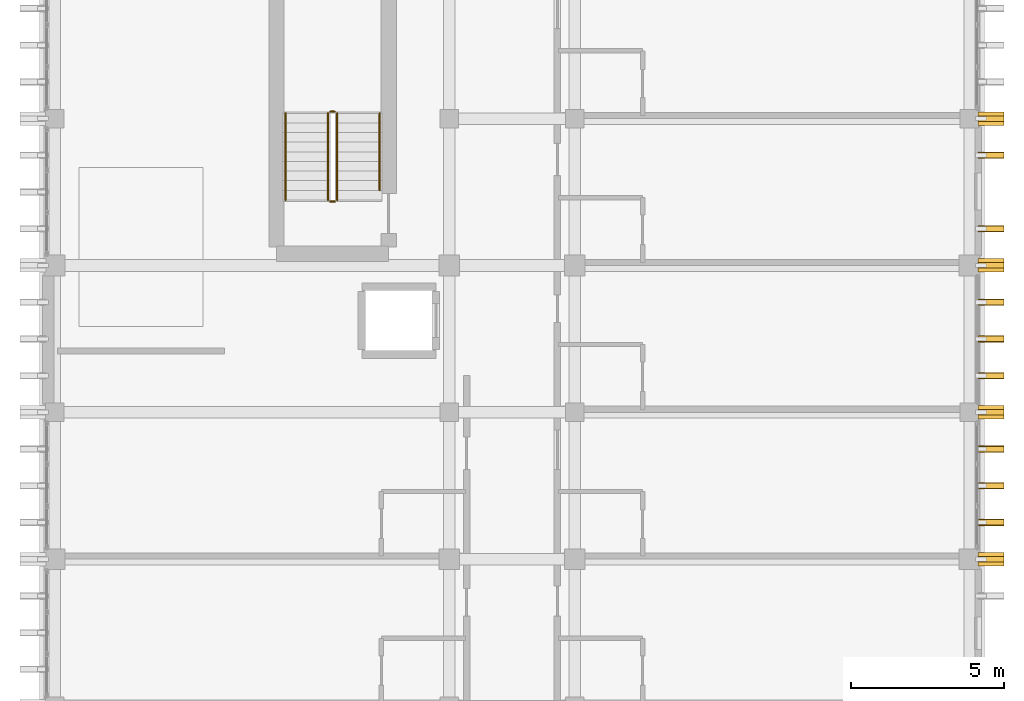
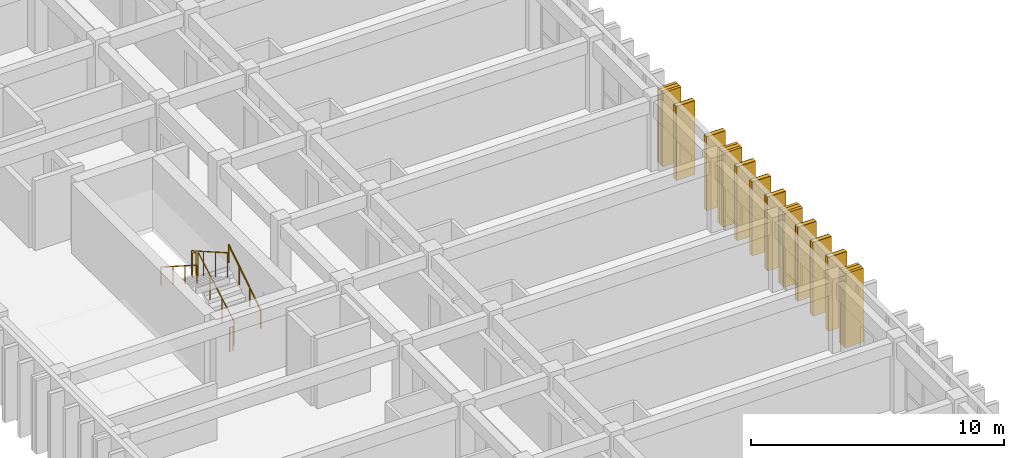
# One storey, part 50 of 53: 12 coverings, 12 shading devices, 6 railings.
"""IFC4 building model written with IfcOpenShell, lengths in metres."""

from ifc_helpers import new_model, si_unit, direction, frame, origin, origin_2d, place, context, subcontext, project, spatial, rectangle, circle, extrude, material, layer, layer_set, type_object, element, save


model = new_model("IFC4")

# Units and contexts
model_context = context("Model", 3, precision=1e-05, world=origin(), true_north=direction((0.0, 1.0)))
body_context = subcontext(model_context, "Body", "Model", "MODEL_VIEW")
ifc_project = project(units=[si_unit("LENGTHUNIT", "METRE"), si_unit("AREAUNIT", "SQUARE_METRE"), si_unit("VOLUMEUNIT", "CUBIC_METRE"), si_unit("PLANEANGLEUNIT", "RADIAN"), si_unit("MASSUNIT", "GRAM", prefix="KILO")], contexts=[model_context])

# Site, building, storey
site_placement = place(None, origin())
site = spatial("IfcSite", under=ifc_project, at=site_placement, CompositionType="ELEMENT")
building_placement = place(site_placement, origin())
building = spatial("IfcBuilding", under=site, at=building_placement, Name="Nakhvara Creek Congress Hotel", CompositionType="ELEMENT")
storey_placement = place(building_placement, frame((0.0, 0.0, 35.39990234375)))
storey = spatial("IfcBuildingStorey", under=building, at=storey_placement, Name="L08", CompositionType="ELEMENT", Elevation=35.39990234375)

# Coverings
ifc_material_1 = material(Name="Honed pale Omani limestone architectural cladding", Category="masonry")
ifc_layer = layer(ifc_material_1, 0.219970703125)
ifc_layer_set = layer_set([ifc_layer], Name="Honed pale Omani limestone architectural cladding")
covering_type = type_object("IfcCoveringType", Name="COV-FIN-850", PredefinedType="CLADDING", material=ifc_layer_set)
covering_1_placement = place(storey_placement, frame((180.054931640625, 67.199951171875, 0.0), z_axis=(0.0, 0.0, 1.0), x_axis=(0.0, 1.0, 0.0)))
element("IfcCovering", 1, at=covering_1_placement, inside=storey, type_object=covering_type, Name="Pale Limestone Fin Cladding CF01-1997", PredefinedType="CLADDING", context=body_context, shape_type="SweptSolid", body=[
    extrude(rectangle(XDim=0.43994140625, YDim=0.85009765625, at=origin_2d()), origin(), (0.0, 0.0, 1.0), 3.56005859375),
])
for number, where, z_axis, x_axis, name in (
    (2, (180.054931640625, 68.39990234375, 0.0), (0.0, 0.0, 1.0), (0.0, 1.0, 0.0), "Pale Limestone Fin Cladding CF01-1999"),
    (3, (180.054931640625, 69.60009765625, 0.0), (0.0, 0.0, 1.0), (0.0, 1.0, 0.0), "Pale Limestone Fin Cladding CF01-2001"),
    (4, (180.054931640625, 70.800048828125, 0.0), (0.0, 0.0, 1.0), (0.0, 1.0, 0.0), "Pale Limestone Fin Cladding CF01-2003"),
):
    element("IfcCovering", number, at=place(storey_placement, frame(where, z_axis=z_axis, x_axis=x_axis)), inside=storey, type_object=covering_type, Name=name, PredefinedType="CLADDING", context=body_context, shape_type="SweptSolid", body=[
        extrude(rectangle(XDim=0.219970703125, YDim=0.85009765625, at=origin_2d()), origin(), (0.0, 0.0, 1.0), 3.56005859375),
    ])
covering_2_placement = place(storey_placement, frame((180.054931640625, 72.0, 0.0), z_axis=(0.0, 0.0, 1.0), x_axis=(0.0, 1.0, 0.0)))
element("IfcCovering", 5, at=covering_2_placement, inside=storey, type_object=covering_type, Name="Pale Limestone Fin Cladding CF01-2005", PredefinedType="CLADDING", context=body_context, shape_type="SweptSolid", body=[
    extrude(rectangle(XDim=0.43994140625, YDim=0.85009765625, at=origin_2d()), origin(), (0.0, 0.0, 1.0), 3.56005859375),
])
for number, where, z_axis, x_axis, name in (
    (6, (180.054931640625, 73.199951171875, 0.0), (0.0, 0.0, 1.0), (0.0, 1.0, 0.0), "Pale Limestone Fin Cladding CF01-2007"),
    (7, (180.054931640625, 74.39990234375, 0.0), (0.0, 0.0, 1.0), (0.0, 1.0, 0.0), "Pale Limestone Fin Cladding CF01-2009"),
    (8, (180.054931640625, 75.60009765625, 0.0), (0.0, 0.0, 1.0), (0.0, 1.0, 0.0), "Pale Limestone Fin Cladding CF01-2011"),
):
    element("IfcCovering", number, at=place(storey_placement, frame(where, z_axis=z_axis, x_axis=x_axis)), inside=storey, type_object=covering_type, Name=name, PredefinedType="CLADDING", context=body_context, shape_type="SweptSolid", body=[
        extrude(rectangle(XDim=0.219970703125, YDim=0.85009765625, at=origin_2d()), origin(), (0.0, 0.0, 1.0), 3.56005859375),
    ])
covering_3_placement = place(storey_placement, frame((180.054931640625, 76.800048828125, 0.0), z_axis=(0.0, 0.0, 1.0), x_axis=(0.0, 1.0, 0.0)))
element("IfcCovering", 9, at=covering_3_placement, inside=storey, type_object=covering_type, Name="Pale Limestone Fin Cladding CF01-2013", PredefinedType="CLADDING", context=body_context, shape_type="SweptSolid", body=[
    extrude(rectangle(XDim=0.43994140625, YDim=0.85009765625, at=origin_2d()), origin(), (0.0, 0.0, 1.0), 3.56005859375),
])
for number, where, z_axis, x_axis, name in (
    (10, (180.054931640625, 78.0, 0.0), (0.0, 0.0, 1.0), (0.0, 1.0, 0.0), "Pale Limestone Fin Cladding CF01-2015"),
    (11, (180.054931640625, 80.39990234375, 0.0), (0.0, 0.0, 1.0), (0.0, 1.0, 0.0), "Pale Limestone Fin Cladding CF01-2018"),
):
    element("IfcCovering", number, at=place(storey_placement, frame(where, z_axis=z_axis, x_axis=x_axis)), inside=storey, type_object=covering_type, Name=name, PredefinedType="CLADDING", context=body_context, shape_type="SweptSolid", body=[
        extrude(rectangle(XDim=0.219970703125, YDim=0.85009765625, at=origin_2d()), origin(), (0.0, 0.0, 1.0), 3.56005859375),
    ])
covering_4_placement = place(storey_placement, frame((180.054931640625, 81.60009765625, 0.0), z_axis=(0.0, 0.0, 1.0), x_axis=(0.0, 1.0, 0.0)))
element("IfcCovering", 12, at=covering_4_placement, inside=storey, type_object=covering_type, Name="Pale Limestone Fin Cladding CF01-2020", PredefinedType="CLADDING", context=body_context, shape_type="SweptSolid", body=[
    extrude(rectangle(XDim=0.43994140625, YDim=0.85009765625, at=origin_2d()), origin(), (0.0, 0.0, 1.0), 3.56005859375),
])

# Railings
ifc_material_2 = material(Name="Brushed stainless steel 316L", Category="steel")
railing_type_1 = type_object("IfcRailingType", Name="RL-GUARD-1200", PredefinedType="GUARDRAIL", material=ifc_material_2)
railing_1_placement = place(storey_placement, frame((158.68505859375, 78.93994140625, 0.18017578125)))
element("IfcRailing", 13, at=railing_1_placement, inside=storey, type_object=railing_type_1, Name="L08 ST01 stair guard 1", PredefinedType="GUARDRAIL", context=body_context, shape_type="SweptSolid", body=[
    extrude(circle(Radius=0.02392578125, at=origin_2d()), frame((0.0, 0.0126953125, 1.18310546875), z_axis=(0.0, 0.868256945921, 0.496114780932), x_axis=(-1.0, 0.0, 0.0)), (0.0, 0.0, 1.0), 3.23583984375),
    extrude(circle(Radius=0.02099609375, at=origin_2d()), origin(), (0.0, 0.0, 1.0), 1.1806640625),
    extrude(circle(Radius=0.02099609375, at=origin_2d()), frame((0.0, 0.945068359375, 0.5400390625)), (0.0, 0.0, 1.0), 1.1806640625),
    extrude(circle(Radius=0.02099609375, at=origin_2d()), frame((0.0, 1.889892578125, 1.079833984375)), (0.0, 0.0, 1.0), 1.1806640625),
    extrude(circle(Radius=0.02099609375, at=origin_2d()), frame((0.0, 2.8349609375, 1.619873046875)), (0.0, 0.0, 1.0), 1.1806640625),
])
railing_2_placement = place(storey_placement, frame((158.610107421875, 81.824951171875, 1.800048828125)))
element("IfcRailing", 14, at=railing_2_placement, inside=storey, type_object=railing_type_1, Name="L08 ST01 stair guard 2", PredefinedType="GUARDRAIL", context=body_context, shape_type="SweptSolid", body=[
    extrude(circle(Radius=0.02392578125, at=origin_2d()), frame((-0.0146484375, 0.0, 1.17578125), z_axis=(-1.0, 0.0, 0.0), x_axis=(0.0, -1.0, 0.0)), (0.0, 0.0, 1.0), 0.120849609375),
    extrude(circle(Radius=0.02099609375, at=origin_2d()), origin(), (0.0, 0.0, 1.0), 1.1806640625),
    extrude(circle(Radius=0.02099609375, at=origin_2d()), frame((-0.150146484375, 0.0, 0.0)), (0.0, 0.0, 1.0), 1.1806640625),
])
railing_3_placement = place(storey_placement, frame((158.385009765625, 81.77490234375, 1.97998046875)))
element("IfcRailing", 15, at=railing_3_placement, inside=storey, type_object=railing_type_1, Name="L08 ST01 stair guard 3", PredefinedType="GUARDRAIL", context=body_context, shape_type="SweptSolid", body=[
    extrude(circle(Radius=0.02392578125, at=origin_2d()), frame((0.0, -0.0126953125, 1.18310546875), z_axis=(0.0, -0.868224736699, 0.496171146464), x_axis=(1.0, 0.0, 0.0)), (0.0, 0.0, 1.0), 3.23583984375),
    extrude(circle(Radius=0.02099609375, at=origin_2d()), origin(), (0.0, 0.0, 1.0), 1.1806640625),
    extrude(circle(Radius=0.02099609375, at=origin_2d()), frame((0.0, -0.945068359375, 0.5400390625)), (0.0, 0.0, 1.0), 1.1806640625),
    extrude(circle(Radius=0.02099609375, at=origin_2d()), frame((0.0, -1.889892578125, 1.080078125)), (0.0, 0.0, 1.0), 1.1806640625),
    extrude(circle(Radius=0.02099609375, at=origin_2d()), frame((0.0, -2.8349609375, 1.6201171875)), (0.0, 0.0, 1.0), 1.1806640625),
])
railing_4_placement = place(storey_placement, frame((158.610107421875, 78.889892578125, 0.0)))
element("IfcRailing", 16, at=railing_4_placement, inside=storey, type_object=railing_type_1, Name="L08 ST01 stair guard 4", PredefinedType="GUARDRAIL", context=body_context, shape_type="SweptSolid", body=[
    extrude(circle(Radius=0.02392578125, at=origin_2d()), frame((-0.0146484375, 0.0, 1.17578125), z_axis=(-1.0, 0.0, 0.0), x_axis=(0.0, -1.0, 0.0)), (0.0, 0.0, 1.0), 0.120849609375),
    extrude(circle(Radius=0.02099609375, at=origin_2d()), origin(), (0.0, 0.0, 1.0), 1.1806640625),
    extrude(circle(Radius=0.02099609375, at=origin_2d()), frame((-0.150146484375, 0.0, 0.0)), (0.0, 0.0, 1.0), 1.1806640625),
])
railing_type_2 = type_object("IfcRailingType", Name="RL-HAND-900", PredefinedType="HANDRAIL", material=ifc_material_2)
railing_5_placement = place(storey_placement, frame((160.074951171875, 79.2548828125, 0.360107421875)))
element("IfcRailing", 17, at=railing_5_placement, inside=storey, type_object=railing_type_2, Name="L08 ST01 stair handrail 1", PredefinedType="HANDRAIL", context=body_context, shape_type="SweptSolid", body=[
    extrude(circle(Radius=0.02392578125, at=origin_2d()), frame((0.0, 0.012451171875, 0.8837890625), z_axis=(0.0, 0.8394937775, 0.543369301248), x_axis=(-1.0, 0.0, 0.0)), (0.0, 0.0, 1.0), 2.972412109375),
    extrude(circle(Radius=0.02099609375, at=origin_2d()), origin(), (0.0, 0.0, 1.0), 0.880615234375),
    extrude(circle(Radius=0.02099609375, at=origin_2d()), frame((0.0, 0.840087890625, 0.543701171875)), (0.0, 0.0, 1.0), 0.880615234375),
    extrude(circle(Radius=0.02099609375, at=origin_2d()), frame((0.0, 1.679931640625, 1.08740234375)), (0.0, 0.0, 1.0), 0.880615234375),
    extrude(circle(Radius=0.02099609375, at=origin_2d()), frame((0.0, 2.52001953125, 1.631103515625)), (0.0, 0.0, 1.0), 0.880615234375),
])
railing_6_placement = place(storey_placement, frame((156.9951171875, 81.77490234375, 1.97998046875)))
element("IfcRailing", 18, at=railing_6_placement, inside=storey, type_object=railing_type_2, Name="L08 ST01 stair handrail 2", PredefinedType="HANDRAIL", context=body_context, shape_type="SweptSolid", body=[
    extrude(circle(Radius=0.02392578125, at=origin_2d()), frame((0.0, -0.012451171875, 0.8837890625), z_axis=(0.0, -0.842721868308, 0.538349192138), x_axis=(1.0, 0.0, 0.0)), (0.0, 0.0, 1.0), 3.334716796875),
    extrude(circle(Radius=0.02099609375, at=origin_2d()), origin(), (0.0, 0.0, 1.0), 0.880615234375),
    extrude(circle(Radius=0.02099609375, at=origin_2d()), frame((0.0, -0.945068359375, 0.603759765625)), (0.0, 0.0, 1.0), 0.880615234375),
    extrude(circle(Radius=0.02099609375, at=origin_2d()), frame((0.0, -1.889892578125, 1.207275390625)), (0.0, 0.0, 1.0), 0.880615234375),
    extrude(circle(Radius=0.02099609375, at=origin_2d()), frame((0.0, -2.8349609375, 1.81103515625)), (0.0, 0.0, 1.0), 0.880615234375),
])

# Shading devices
ifc_material_3 = material(Name="Honed pale Omani limestone cladding on stainless steel spine", Category="masonry")
shading_device_type = type_object("IfcShadingDeviceType", Name="SHD-FIN-850X3600", PredefinedType="USERDEFINED", material=ifc_material_3)
for number, where, z_axis, x_axis, name in (
    (19, (180.054931640625, 67.199951171875, 0.0), (0.0, 0.0, 1.0), (0.0, 1.0, 0.0), "Limestone Solar Fin FN01-1862"),
    (20, (180.054931640625, 68.39990234375, 0.0), (0.0, 0.0, 1.0), (0.0, 1.0, 0.0), "Limestone Solar Fin FN01-1864"),
    (21, (180.054931640625, 69.60009765625, 0.0), (0.0, 0.0, 1.0), (0.0, 1.0, 0.0), "Limestone Solar Fin FN01-1866"),
    (22, (180.054931640625, 70.800048828125, 0.0), (0.0, 0.0, 1.0), (0.0, 1.0, 0.0), "Limestone Solar Fin FN01-1868"),
    (23, (180.054931640625, 72.0, 0.0), (0.0, 0.0, 1.0), (0.0, 1.0, 0.0), "Limestone Solar Fin FN01-1870"),
    (24, (180.054931640625, 73.199951171875, 0.0), (0.0, 0.0, 1.0), (0.0, 1.0, 0.0), "Limestone Solar Fin FN01-1872"),
    (25, (180.054931640625, 74.39990234375, 0.0), (0.0, 0.0, 1.0), (0.0, 1.0, 0.0), "Limestone Solar Fin FN01-1874"),
    (26, (180.054931640625, 75.60009765625, 0.0), (0.0, 0.0, 1.0), (0.0, 1.0, 0.0), "Limestone Solar Fin FN01-1876"),
    (27, (180.054931640625, 76.800048828125, 0.0), (0.0, 0.0, 1.0), (0.0, 1.0, 0.0), "Limestone Solar Fin FN01-1878"),
    (28, (180.054931640625, 78.0, 0.0), (0.0, 0.0, 1.0), (0.0, 1.0, 0.0), "Limestone Solar Fin FN01-1880"),
    (29, (180.054931640625, 80.39990234375, 0.0), (0.0, 0.0, 1.0), (0.0, 1.0, 0.0), "Limestone Solar Fin FN01-1883"),
    (30, (180.054931640625, 81.60009765625, 0.0), (0.0, 0.0, 1.0), (0.0, 1.0, 0.0), "Limestone Solar Fin FN01-1885"),
):
    element("IfcShadingDevice", number, at=place(storey_placement, frame(where, z_axis=z_axis, x_axis=x_axis)), inside=storey, type_object=shading_device_type, Name=name, ObjectType="FIN", PredefinedType="USERDEFINED", context=body_context, shape_type="SweptSolid", body=[
        extrude(rectangle(XDim=0.179931640625, YDim=0.85009765625, at=origin_2d()), origin(), (0.0, 0.0, 1.0), 3.56005859375),
    ])

save(model, "model.ifc")
